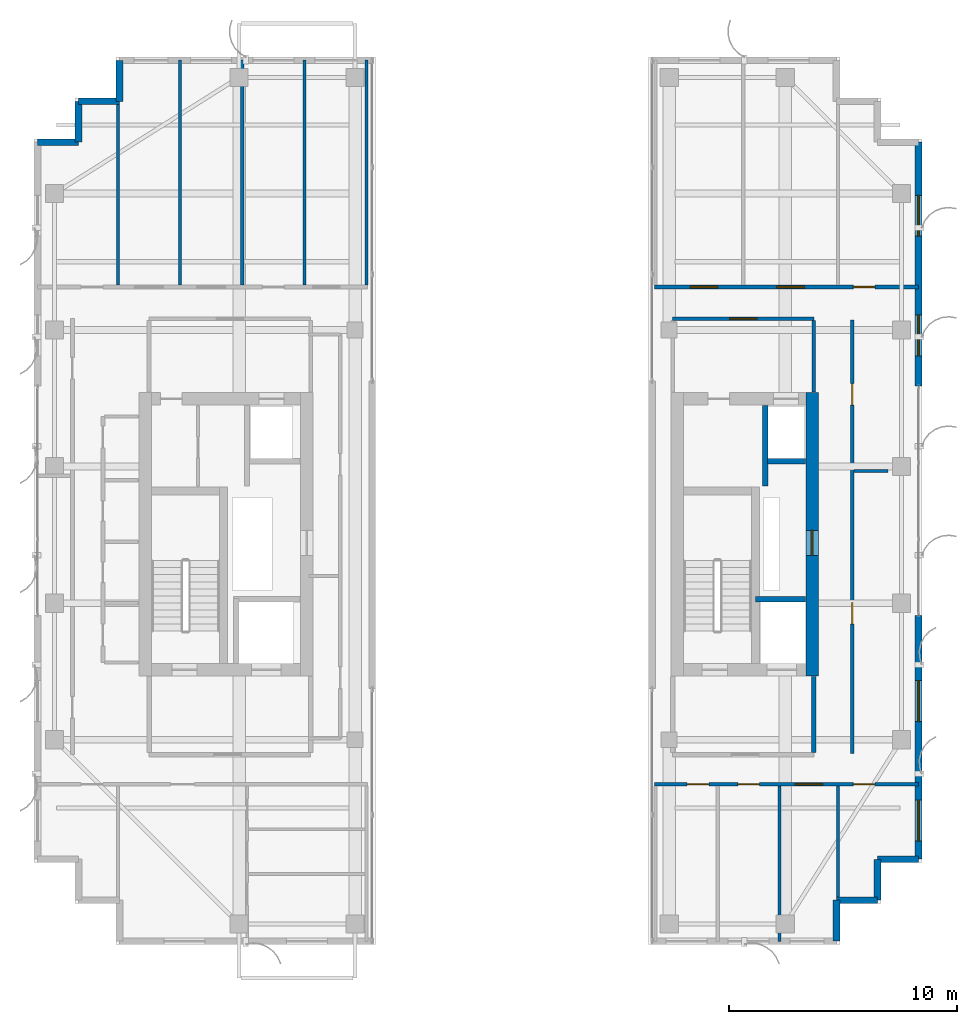
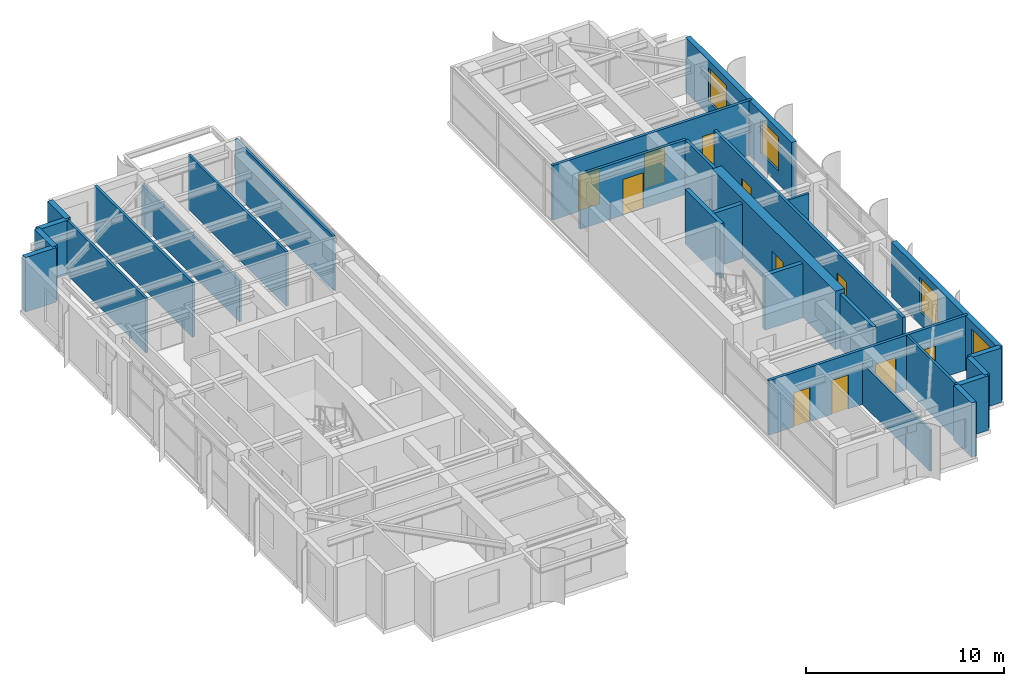
# One storey, part 19 of 22: 28 walls, 11 doors, 4 windows, 15 openings.
"""IFC4 building model written with IfcOpenShell, lengths in metres."""

from ifc_helpers import new_model, si_unit, direction, frame, frame_2d, origin, place, context, subcontext, project, spatial, rectangle, extrude, source, transform, mapped, material, layer, layer_set, type_object, element, fill, save


model = new_model("IFC4")

# Units and contexts
model_context = context("Model", 3, precision=1e-05, world=origin(), true_north=direction((0.0, 1.0)))
body_context = subcontext(model_context, "Body", "Model", "MODEL_VIEW")
ifc_project = project(units=[si_unit("LENGTHUNIT", "METRE"), si_unit("AREAUNIT", "SQUARE_METRE"), si_unit("VOLUMEUNIT", "CUBIC_METRE"), si_unit("PLANEANGLEUNIT", "RADIAN"), si_unit("MASSUNIT", "GRAM", prefix="KILO")], contexts=[model_context])

# Site, building, storey
site_placement = place(None, origin())
site = spatial("IfcSite", under=ifc_project, at=site_placement, CompositionType="ELEMENT")
building_placement = place(site_placement, origin())
building = spatial("IfcBuilding", under=site, at=building_placement, Name="Khoralis Quay Care Tower", CompositionType="ELEMENT")
storey_placement = place(building_placement, frame((0.0, 0.0, 256.5)))
storey = spatial("IfcBuildingStorey", under=building, at=storey_placement, Name="L67", CompositionType="ELEMENT", Elevation=256.5)

# Wall
ifc_material_1 = material(Name="Gypsum plasterboard on acoustic metal stud")
ifc_layer_1 = layer(ifc_material_1, 0.199951171875)
ifc_layer_set_1 = layer_set([ifc_layer_1], Name="Gypsum plasterboard on acoustic metal stud")
wall_type_1 = type_object("IfcWallType", Name="WL-COMP-200", PredefinedType="PARTITIONING", material=ifc_layer_set_1)
wall_1_placement = place(storey_placement, frame((37.25, 11.445068359375, 0.0), z_axis=(0.0, 0.0, 1.0), x_axis=(0.0, 1.0, 0.0)))
element("IfcWall", 1, at=wall_1_placement, inside=storey, type_object=wall_type_1, Name="L67 East Firefighting Lobby East Wall", PredefinedType="PARTITIONING", context=body_context, shape_type="SweptSolid", body=[
    extrude(rectangle(XDim=3.3349609375, YDim=0.199951171875, at=frame_2d((1.66748046875, 0.0))), origin(), (0.0, 0.0, 1.0), 3.360107421875),
])

# Wall, opening, door
ifc_material_2 = material(Name="Concrete C65/80", Category="concrete")
ifc_layer_2 = layer(ifc_material_2, 0.550048828125)
ifc_layer_set_2 = layer_set([ifc_layer_2], Name="Concrete C65/80")
wall_type_2 = type_object("IfcWallType", Name="WL-CORE-550", PredefinedType="SHEAR", material=ifc_layer_set_2)
wall_2_placement = place(storey_placement, frame((37.175048828125, 14.800048828125, 0.0), z_axis=(0.0, 0.0, 1.0), x_axis=(0.0, 1.0, 0.0)))
wall_2 = element("IfcWall", 2, at=wall_2_placement, inside=storey, type_object=wall_type_2, Name="L67 ECORE East Shear Wall", PredefinedType="SHEAR", context=body_context, shape_type="SweptSolid", body=[
    extrude(rectangle(XDim=12.449951171875, YDim=0.550048828125, at=frame_2d((6.22509765625, 0.0))), origin(), (0.0, 0.0, 1.0), 3.60009765625),
])
opening_1_placement = place(wall_2_placement, frame((5.300048828125, 0.0, 0.0)))
opening_1 = element("IfcOpeningElement", 3, at=opening_1_placement, cuts=wall_2, Name="Opening SD1", PredefinedType="OPENING", context=body_context, shape_type="SweptSolid", body=[
    extrude(rectangle(XDim=1.10009765625, YDim=2.199951171875, at=frame_2d((0.550048828125, 1.10009765625))), frame((0.0, 0.28515625, 0.0), z_axis=(0.0, -1.0, 0.0), x_axis=(1.0, 0.0, 0.0)), (0.0, 0.0, 1.0), 0.570068359375),
])
ifc_material_3 = material(Name="Fire-rated painted steel", Category="steel")
door_type_1 = type_object("IfcDoorType", Name="DR-STAIR-1100X2200", OperationType="NOTDEFINED", PredefinedType="DOOR", material=ifc_material_3)
shared_shape_1 = source(origin(), body_context, "Body", "SweptSolid", [
    extrude(rectangle(XDim=1.10009765625, YDim=2.199951171875, at=frame_2d((0.550048828125, 1.10009765625))), frame((0.0, 0.02490234375, 0.0), z_axis=(0.0, -1.0, 0.0), x_axis=(1.0, 0.0, 0.0)), (0.0, 0.0, 1.0), 0.050048828125),
])
door_1_placement = place(opening_1_placement, frame((1.10009765625, 0.0, 0.0), z_axis=(0.0, 0.0, 1.0), x_axis=(-1.0, 0.0, 0.0)))
door_1 = element("IfcDoor", 4, at=door_1_placement, inside=storey, type_object=door_type_1, Name="L67 East MEP Riser Door", OperationType="SINGLE_SWING_RIGHT", OverallHeight=2.199951171875, OverallWidth=1.10009765625, PredefinedType="DOOR", context=body_context, shape_type="MappedRepresentation", body=[
    mapped(shared_shape_1, transform((0.0, 0.0, 0.0), scale=1.0)),
])
fill(opening_1, door_1)

ifc_layer_3 = layer(ifc_material_1, 0.1650390625)
ifc_layer_set_3 = layer_set([ifc_layer_3], Name="Gypsum plasterboard on acoustic metal stud")
wall_type_3 = type_object("IfcWallType", Name="WL-CORR-165", PredefinedType="PARTITIONING", material=ifc_layer_set_3)
wall_3_placement = place(storey_placement, frame((31.050048828125, 30.5, 0.0), z_axis=(0.0, 0.0, 1.0), x_axis=(1.0, 0.0, 0.0)))
wall_3 = element("IfcWall", 5, at=wall_3_placement, inside=storey, type_object=wall_type_3, Name="L67 East Lift Lobby North Wall", PredefinedType="PARTITIONING", context=body_context, shape_type="SweptSolid", body=[
    extrude(rectangle(XDim=6.199951171875, YDim=0.1650390625, at=frame_2d((3.10009765625, 0.0))), origin(), (0.0, 0.0, 1.0), 3.360107421875),
])
opening_2_placement = place(wall_3_placement, frame((2.5, 0.0, 0.0)))
opening_2 = element("IfcOpeningElement", 6, at=opening_2_placement, cuts=wall_3, Name="Opening FD1", PredefinedType="OPENING", context=body_context, shape_type="SweptSolid", body=[
    extrude(rectangle(XDim=1.199951171875, YDim=2.199951171875, at=frame_2d((0.60009765625, 1.10009765625))), frame((0.0, 0.092529296875, 0.0), z_axis=(0.0, -1.0, 0.0), x_axis=(1.0, 0.0, 0.0)), (0.0, 0.0, 1.0), 0.18505859375),
])
door_type_2 = type_object("IfcDoorType", Name="DR-FFL-1200X2200", OperationType="NOTDEFINED", PredefinedType="DOOR", material=ifc_material_3)
shared_shape_2 = source(origin(), body_context, "Body", "SweptSolid", [
    extrude(rectangle(XDim=1.199951171875, YDim=2.199951171875, at=frame_2d((0.60009765625, 1.10009765625))), frame((0.0, 0.02490234375, 0.0), z_axis=(0.0, -1.0, 0.0), x_axis=(1.0, 0.0, 0.0)), (0.0, 0.0, 1.0), 0.050048828125),
])
door_2_placement = place(opening_2_placement, origin())
door_2 = element("IfcDoor", 7, at=door_2_placement, inside=storey, type_object=door_type_2, Name="L67 East Lift Lobby Double Door", OperationType="DOUBLE_DOOR_SINGLE_SWING", OverallHeight=2.199951171875, OverallWidth=1.199951171875, PredefinedType="DOOR", context=body_context, shape_type="MappedRepresentation", body=[
    mapped(shared_shape_2, transform((0.0, 0.0, 0.0), scale=1.0)),
])
fill(opening_2, door_2)

# Wall
wall_4_placement = place(storey_placement, frame((37.25, 27.27001953125, 0.0), z_axis=(0.0, 0.0, 1.0), x_axis=(0.0, 1.0, 0.0)))
element("IfcWall", 8, at=wall_4_placement, inside=storey, type_object=wall_type_3, Name="L67 East Lift Lobby East Wall", PredefinedType="PARTITIONING", context=body_context, shape_type="SweptSolid", body=[
    extrude(rectangle(XDim=3.152587890625, YDim=0.1650390625, at=frame_2d((1.576171875, 0.0))), origin(), (0.0, 0.0, 1.0), 3.360107421875),
])

# Wall, openings, doors
wall_5_placement = place(storey_placement, frame((30.25, 10.0400390625, 0.0), z_axis=(0.0, 0.0, 1.0), x_axis=(1.0, 0.0, 0.0)))
wall_5 = element("IfcWall", 9, at=wall_5_placement, inside=storey, type_object=wall_type_3, Name="L67 East Wing South Corridor Wall", PredefinedType="PARTITIONING", context=body_context, shape_type="SweptSolid", body=[
    extrude(rectangle(XDim=11.60498046875, YDim=0.1650390625, at=frame_2d((5.802490234375, 0.0))), origin(), (0.0, 0.0, 1.0), 3.360107421875),
])
opening_3_placement = place(wall_5_placement, frame((1.43994140625, 0.0, 0.0)))
opening_3 = element("IfcOpeningElement", 10, at=opening_3_placement, cuts=wall_5, Name="Opening ID1", PredefinedType="OPENING", context=body_context, shape_type="SweptSolid", body=[
    extrude(rectangle(XDim=0.949951171875, YDim=2.10009765625, at=frame_2d((0.47509765625, 1.050048828125))), frame((0.0, 0.092529296875, 0.0), z_axis=(0.0, -1.0, 0.0), x_axis=(1.0, 0.0, 0.0)), (0.0, 0.0, 1.0), 0.18505859375),
])
opening_4_placement = place(wall_5_placement, frame((3.6650390625, 0.0, 0.0)))
opening_4 = element("IfcOpeningElement", 11, at=opening_4_placement, cuts=wall_5, Name="Opening ID1", PredefinedType="OPENING", context=body_context, shape_type="SweptSolid", body=[
    extrude(rectangle(XDim=0.949951171875, YDim=2.10009765625, at=frame_2d((0.47509765625, 1.050048828125))), frame((0.0, 0.092529296875, 0.0), z_axis=(0.0, -1.0, 0.0), x_axis=(1.0, 0.0, 0.0)), (0.0, 0.0, 1.0), 0.18505859375),
])
opening_5_placement = place(wall_5_placement, frame((6.18505859375, 0.0, 0.0)))
opening_5 = element("IfcOpeningElement", 12, at=opening_5_placement, cuts=wall_5, Name="Opening FD1", PredefinedType="OPENING", context=body_context, shape_type="SweptSolid", body=[
    extrude(rectangle(XDim=1.199951171875, YDim=2.199951171875, at=frame_2d((0.60009765625, 1.10009765625))), frame((0.0, 0.092529296875, 0.0), z_axis=(0.0, -1.0, 0.0), x_axis=(1.0, 0.0, 0.0)), (0.0, 0.0, 1.0), 0.18505859375),
])
opening_6_placement = place(wall_5_placement, frame((8.735107421875, 0.0, 0.0)))
opening_6 = element("IfcOpeningElement", 13, at=opening_6_placement, cuts=wall_5, Name="Opening ID1", PredefinedType="OPENING", context=body_context, shape_type="SweptSolid", body=[
    extrude(rectangle(XDim=0.949951171875, YDim=2.10009765625, at=frame_2d((0.47509765625, 1.050048828125))), frame((0.0, 0.092529296875, 0.0), z_axis=(0.0, -1.0, 0.0), x_axis=(1.0, 0.0, 0.0)), (0.0, 0.0, 1.0), 0.18505859375),
])
door_3_placement = place(opening_5_placement, frame((1.199951171875, 0.0, 0.0), z_axis=(0.0, 0.0, 1.0), x_axis=(-1.0, 0.0, 0.0)))
door_3 = element("IfcDoor", 14, at=door_3_placement, inside=storey, type_object=door_type_2, Name="L67 Senior Wellness Pharmacy Shop Door", OperationType="DOUBLE_DOOR_SINGLE_SWING", OverallHeight=2.199951171875, OverallWidth=1.199951171875, PredefinedType="DOOR", context=body_context, shape_type="MappedRepresentation", body=[
    mapped(shared_shape_2, transform((0.0, 0.0, 0.0), scale=1.0)),
])
fill(opening_5, door_3)
ifc_material_4 = material(Name="Acoustic hardwood timber", Category="wood")
door_type_3 = type_object("IfcDoorType", Name="DR-ROOM-950X2100", OperationType="NOTDEFINED", PredefinedType="DOOR", material=ifc_material_4)
shared_shape_3 = source(origin(), body_context, "Body", "SweptSolid", [
    extrude(rectangle(XDim=0.949951171875, YDim=2.10009765625, at=frame_2d((0.47509765625, 1.050048828125))), frame((0.0, 0.02490234375, 0.0), z_axis=(0.0, -1.0, 0.0), x_axis=(1.0, 0.0, 0.0)), (0.0, 0.0, 1.0), 0.050048828125),
])
door_4_placement = place(opening_3_placement, frame((0.949951171875, 0.0, 0.0), z_axis=(0.0, 0.0, 1.0), x_axis=(-1.0, 0.0, 0.0)))
door_4 = element("IfcDoor", 15, at=door_4_placement, inside=storey, type_object=door_type_3, Name="L67 Care Coordination Office Door", OperationType="SINGLE_SWING_LEFT", OverallHeight=2.10009765625, OverallWidth=0.949951171875, PredefinedType="DOOR", context=body_context, shape_type="MappedRepresentation", body=[
    mapped(shared_shape_3, transform((0.0, 0.0, 0.0), scale=1.0)),
])
fill(opening_3, door_4)
door_5_placement = place(opening_4_placement, frame((0.949951171875, 0.0, 0.0), z_axis=(0.0, 0.0, 1.0), x_axis=(-1.0, 0.0, 0.0)))
door_5 = element("IfcDoor", 16, at=door_5_placement, inside=storey, type_object=door_type_3, Name="L67 Family Case Conference Room Door", OperationType="SINGLE_SWING_RIGHT", OverallHeight=2.10009765625, OverallWidth=0.949951171875, PredefinedType="DOOR", context=body_context, shape_type="MappedRepresentation", body=[
    mapped(shared_shape_3, transform((0.0, 0.0, 0.0), scale=1.0)),
])
fill(opening_4, door_5)
door_6_placement = place(opening_6_placement, frame((0.949951171875, 0.0, 0.0), z_axis=(0.0, 0.0, 1.0), x_axis=(-1.0, 0.0, 0.0)))
door_6 = element("IfcDoor", 17, at=door_6_placement, inside=storey, type_object=door_type_3, Name="L67 SE Corner Door", OperationType="SINGLE_SWING_RIGHT", OverallHeight=2.10009765625, OverallWidth=0.949951171875, PredefinedType="DOOR", context=body_context, shape_type="MappedRepresentation", body=[
    mapped(shared_shape_3, transform((0.0, 0.0, 0.0), scale=1.0)),
])
fill(opening_6, door_6)

wall_6_placement = place(storey_placement, frame((30.25, 31.889892578125, 0.0), z_axis=(0.0, 0.0, 1.0), x_axis=(1.0, 0.0, 0.0)))
wall_6 = element("IfcWall", 18, at=wall_6_placement, inside=storey, type_object=wall_type_3, Name="L67 East Wing North Corridor Wall", PredefinedType="PARTITIONING", context=body_context, shape_type="SweptSolid", body=[
    extrude(rectangle(XDim=11.60498046875, YDim=0.1650390625, at=frame_2d((5.802490234375, 0.0))), origin(), (0.0, 0.0, 1.0), 3.360107421875),
])
opening_7_placement = place(wall_6_placement, frame((1.574951171875, 0.0, 0.0)))
opening_7 = element("IfcOpeningElement", 19, at=opening_7_placement, cuts=wall_6, Name="Opening FD1", PredefinedType="OPENING", context=body_context, shape_type="SweptSolid", body=[
    extrude(rectangle(XDim=1.199951171875, YDim=2.199951171875, at=frame_2d((0.60009765625, 1.10009765625))), frame((0.0, 0.092529296875, 0.0), z_axis=(0.0, -1.0, 0.0), x_axis=(1.0, 0.0, 0.0)), (0.0, 0.0, 1.0), 0.18505859375),
])
opening_8_placement = place(wall_6_placement, frame((5.385009765625, 0.0, 0.0)))
opening_8 = element("IfcOpeningElement", 20, at=opening_8_placement, cuts=wall_6, Name="Opening FD1", PredefinedType="OPENING", context=body_context, shape_type="SweptSolid", body=[
    extrude(rectangle(XDim=1.199951171875, YDim=2.199951171875, at=frame_2d((0.60009765625, 1.10009765625))), frame((0.0, 0.092529296875, 0.0), z_axis=(0.0, -1.0, 0.0), x_axis=(1.0, 0.0, 0.0)), (0.0, 0.0, 1.0), 0.18505859375),
])
opening_9_placement = place(wall_6_placement, frame((8.735107421875, 0.0, 0.0)))
opening_9 = element("IfcOpeningElement", 21, at=opening_9_placement, cuts=wall_6, Name="Opening ID1", PredefinedType="OPENING", context=body_context, shape_type="SweptSolid", body=[
    extrude(rectangle(XDim=0.949951171875, YDim=2.10009765625, at=frame_2d((0.47509765625, 1.050048828125))), frame((0.0, 0.092529296875, 0.0), z_axis=(0.0, -1.0, 0.0), x_axis=(1.0, 0.0, 0.0)), (0.0, 0.0, 1.0), 0.18505859375),
])
door_7_placement = place(opening_7_placement, origin())
door_7 = element("IfcDoor", 22, at=door_7_placement, inside=storey, type_object=door_type_2, Name="L67 Resident Communal Day Lounge Door", OperationType="DOUBLE_DOOR_SINGLE_SWING", OverallHeight=2.199951171875, OverallWidth=1.199951171875, PredefinedType="DOOR", context=body_context, shape_type="MappedRepresentation", body=[
    mapped(shared_shape_2, transform((0.0, 0.0, 0.0), scale=1.0)),
])
fill(opening_7, door_7)
door_8_placement = place(opening_8_placement, origin())
door_8 = element("IfcDoor", 23, at=door_8_placement, inside=storey, type_object=door_type_2, Name="L67 Assisted Communal Dining Room Door", OperationType="DOUBLE_DOOR_SINGLE_SWING", OverallHeight=2.199951171875, OverallWidth=1.199951171875, PredefinedType="DOOR", context=body_context, shape_type="MappedRepresentation", body=[
    mapped(shared_shape_2, transform((0.0, 0.0, 0.0), scale=1.0)),
])
fill(opening_8, door_8)
door_9_placement = place(opening_9_placement, origin())
door_9 = element("IfcDoor", 24, at=door_9_placement, inside=storey, type_object=door_type_3, Name="L67 NE Corner Door", OperationType="SINGLE_SWING_LEFT", OverallHeight=2.10009765625, OverallWidth=0.949951171875, PredefinedType="DOOR", context=body_context, shape_type="MappedRepresentation", body=[
    mapped(shared_shape_3, transform((0.0, 0.0, 0.0), scale=1.0)),
])
fill(opening_9, door_9)

wall_7_placement = place(storey_placement, frame((38.93994140625, 11.39990234375, 0.0), z_axis=(0.0, 0.0, 1.0), x_axis=(0.0, 1.0, 0.0)))
wall_7 = element("IfcWall", 25, at=wall_7_placement, inside=storey, type_object=wall_type_3, Name="L67 East High-Rise Suite Wall", PredefinedType="PARTITIONING", context=body_context, shape_type="SweptSolid", body=[
    extrude(rectangle(XDim=19.050048828125, YDim=0.1650390625, at=frame_2d((9.52490234375, 0.0))), origin(), (0.0, 0.0, 1.0), 3.360107421875),
])
opening_10_placement = place(wall_7_placement, frame((5.675048828125, 0.0, 0.0)))
opening_10 = element("IfcOpeningElement", 26, at=opening_10_placement, cuts=wall_7, Name="Opening ID1", PredefinedType="OPENING", context=body_context, shape_type="SweptSolid", body=[
    extrude(rectangle(XDim=0.949951171875, YDim=2.10009765625, at=frame_2d((0.47509765625, 1.050048828125))), frame((0.0, 0.092529296875, 0.0), z_axis=(0.0, -1.0, 0.0), x_axis=(1.0, 0.0, 0.0)), (0.0, 0.0, 1.0), 0.18505859375),
])
opening_11_placement = place(wall_7_placement, frame((15.300048828125, 0.0, 0.0)))
opening_11 = element("IfcOpeningElement", 27, at=opening_11_placement, cuts=wall_7, Name="Opening ID1", PredefinedType="OPENING", context=body_context, shape_type="SweptSolid", body=[
    extrude(rectangle(XDim=0.949951171875, YDim=2.10009765625, at=frame_2d((0.47509765625, 1.050048828125))), frame((0.0, 0.092529296875, 0.0), z_axis=(0.0, -1.0, 0.0), x_axis=(1.0, 0.0, 0.0)), (0.0, 0.0, 1.0), 0.18505859375),
])
door_10_placement = place(opening_10_placement, origin())
door_10 = element("IfcDoor", 28, at=door_10_placement, inside=storey, type_object=door_type_3, Name="L67 East High-Rise Sun Lounge Door", OperationType="SINGLE_SWING_LEFT", OverallHeight=2.10009765625, OverallWidth=0.949951171875, PredefinedType="DOOR", context=body_context, shape_type="MappedRepresentation", body=[
    mapped(shared_shape_3, transform((0.0, 0.0, 0.0), scale=1.0)),
])
fill(opening_10, door_10)
door_11_placement = place(opening_11_placement, origin())
door_11 = element("IfcDoor", 29, at=door_11_placement, inside=storey, type_object=door_type_3, Name="L67 East High-Rise Care Office Door", OperationType="SINGLE_SWING_RIGHT", OverallHeight=2.10009765625, OverallWidth=0.949951171875, PredefinedType="DOOR", context=body_context, shape_type="MappedRepresentation", body=[
    mapped(shared_shape_3, transform((0.0, 0.0, 0.0), scale=1.0)),
])
fill(opening_11, door_11)

# Walls
ifc_material_5 = material(Name="Precast concrete C45/55", Category="concrete")
ifc_layer_4 = layer(ifc_material_5, 0.300048828125)
ifc_layer_set_4 = layer_set([ifc_layer_4], Name="Precast concrete C45/55")
wall_type_4 = type_object("IfcWallType", Name="WL-EXT-REF-300", PredefinedType="SOLIDWALL", material=ifc_layer_set_4)
for number, where, z_axis, x_axis, name in (
    (30, (6.75, 41.85009765625, 0.0), (0.0, 0.0, 1.0), (0.0, -1.0, 0.0), "L67 External Facade Wall WL-EXT-L67-P1-C3"),
    (31, (6.75, 40.050048828125, 0.0), (0.0, 0.0, 1.0), (-1.0, 0.0, 0.0), "L67 External Facade Wall WL-EXT-L67-P1-C4"),
    (32, (4.949951171875, 40.050048828125, 0.0), (0.0, 0.0, 1.0), (0.0, -1.0, 0.0), "L67 External Facade Wall WL-EXT-L67-P1-C5"),
    (33, (4.949951171875, 38.25, 0.0), (0.0, 0.0, 1.0), (-1.0, 0.0, 0.0), "L67 External Facade Wall WL-EXT-L67-P1-C6"),
    (34, (38.25, 3.14990234375, 0.0), (0.0, 0.0, 1.0), (0.0, 1.0, 0.0), "L67 External Facade Wall WL-EXT-L67-P2-C1"),
    (35, (38.25, 4.949951171875, 0.0), (0.0, 0.0, 1.0), (1.0, 0.0, 0.0), "L67 External Facade Wall WL-EXT-L67-P2-C2"),
    (36, (40.050048828125, 4.949951171875, 0.0), (0.0, 0.0, 1.0), (0.0, 1.0, 0.0), "L67 External Facade Wall WL-EXT-L67-P2-C3"),
    (37, (40.050048828125, 6.75, 0.0), (0.0, 0.0, 1.0), (1.0, 0.0, 0.0), "L67 External Facade Wall WL-EXT-L67-P2-C4"),
):
    element("IfcWall", number, at=place(storey_placement, frame(where, z_axis=z_axis, x_axis=x_axis)), inside=storey, type_object=wall_type_4, Name=name, PredefinedType="SOLIDWALL", context=body_context, shape_type="SweptSolid", body=[
        extrude(rectangle(XDim=1.800048828125, YDim=0.300048828125, at=frame_2d((0.89990234375, 0.0))), origin(), (0.0, 0.0, 1.0), 3.360107421875),
    ])

# Wall, openings, windows
wall_8_placement = place(storey_placement, frame((41.85009765625, 6.75, 0.0), z_axis=(0.0, 0.0, 1.0), x_axis=(0.0, 1.0, 0.0)))
wall_8 = element("IfcWall", 38, at=wall_8_placement, inside=storey, type_object=wall_type_4, Name="L67 External Facade Wall WL-EXT-L67-P2-E5A", PredefinedType="SOLIDWALL", context=body_context, shape_type="SweptSolid", body=[
    extrude(rectangle(XDim=10.7099609375, YDim=0.300048828125, at=frame_2d((5.35498046875, 0.0))), origin(), (0.0, 0.0, 1.0), 3.360107421875),
])
opening_12_placement = place(wall_8_placement, frame((0.794921875, 0.0, 0.800048828125)))
opening_12 = element("IfcOpeningElement", 39, at=opening_12_placement, cuts=wall_8, Name="Opening W2", PredefinedType="OPENING", context=body_context, shape_type="SweptSolid", body=[
    extrude(rectangle(XDim=1.800048828125, YDim=2.10009765625, at=frame_2d((0.89990234375, 1.050048828125))), frame((0.0, 0.16015625, 0.0), z_axis=(0.0, -1.0, 0.0), x_axis=(1.0, 0.0, 0.0)), (0.0, 0.0, 1.0), 0.320068359375),
])
opening_13_placement = place(wall_8_placement, frame((6.050048828125, 0.0, 0.800048828125)))
opening_13 = element("IfcOpeningElement", 40, at=opening_13_placement, cuts=wall_8, Name="Opening W2", PredefinedType="OPENING", context=body_context, shape_type="SweptSolid", body=[
    extrude(rectangle(XDim=1.800048828125, YDim=2.10009765625, at=frame_2d((0.89990234375, 1.050048828125))), frame((0.0, 0.16015625, 0.0), z_axis=(0.0, -1.0, 0.0), x_axis=(1.0, 0.0, 0.0)), (0.0, 0.0, 1.0), 0.320068359375),
])
ifc_material_6 = material(Name="Low-E solar-control double glazing", Category="glass")
window_type = type_object("IfcWindowType", Name="WN-POD-1800X2100", PartitioningType="SINGLE_PANEL", PredefinedType="WINDOW", material=ifc_material_6)
shared_shape_4 = source(origin(), body_context, "Body", "SweptSolid", [
    extrude(rectangle(XDim=1.800048828125, YDim=2.10009765625, at=frame_2d((0.89990234375, 1.050048828125))), frame((0.0, 0.030029296875, 0.0), z_axis=(0.0, -1.0, 0.0), x_axis=(1.0, 0.0, 0.0)), (0.0, 0.0, 1.0), 0.06005859375),
])
window_1_placement = place(opening_12_placement, origin())
window_1 = element("IfcWindow", 41, at=window_1_placement, inside=storey, type_object=window_type, Name="WN-L67-P2-E5A Facade Window 01", OverallHeight=2.10009765625, OverallWidth=1.800048828125, PartitioningType="SINGLE_PANEL", PredefinedType="WINDOW", context=body_context, shape_type="MappedRepresentation", body=[
    mapped(shared_shape_4, transform((0.0, 0.0, 0.0), scale=1.0)),
])
fill(opening_12, window_1)
window_2_placement = place(opening_13_placement, origin())
window_2 = element("IfcWindow", 42, at=window_2_placement, inside=storey, type_object=window_type, Name="WN-L67-P2-E5A Facade Window 02", OverallHeight=2.10009765625, OverallWidth=1.800048828125, PartitioningType="SINGLE_PANEL", PredefinedType="WINDOW", context=body_context, shape_type="MappedRepresentation", body=[
    mapped(shared_shape_4, transform((0.0, 0.0, 0.0), scale=1.0)),
])
fill(opening_13, window_2)

wall_9_placement = place(storey_placement, frame((41.85009765625, 27.5400390625, 0.0), z_axis=(0.0, 0.0, 1.0), x_axis=(0.0, 1.0, 0.0)))
wall_9 = element("IfcWall", 43, at=wall_9_placement, inside=storey, type_object=wall_type_4, Name="L67 External Facade Wall WL-EXT-L67-P2-E5B", PredefinedType="SOLIDWALL", context=body_context, shape_type="SweptSolid", body=[
    extrude(rectangle(XDim=10.7099609375, YDim=0.300048828125, at=frame_2d((5.35498046875, 0.0))), origin(), (0.0, 0.0, 1.0), 3.360107421875),
])
opening_14_placement = place(wall_9_placement, frame((1.324951171875, 0.0, 0.800048828125)))
opening_14 = element("IfcOpeningElement", 44, at=opening_14_placement, cuts=wall_9, Name="Opening W2", PredefinedType="OPENING", context=body_context, shape_type="SweptSolid", body=[
    extrude(rectangle(XDim=1.800048828125, YDim=2.10009765625, at=frame_2d((0.89990234375, 1.050048828125))), frame((0.0, 0.16015625, 0.0), z_axis=(0.0, -1.0, 0.0), x_axis=(1.0, 0.0, 0.0)), (0.0, 0.0, 1.0), 0.320068359375),
])
opening_15_placement = place(wall_9_placement, frame((6.580078125, 0.0, 0.800048828125)))
opening_15 = element("IfcOpeningElement", 45, at=opening_15_placement, cuts=wall_9, Name="Opening W2", PredefinedType="OPENING", context=body_context, shape_type="SweptSolid", body=[
    extrude(rectangle(XDim=1.800048828125, YDim=2.10009765625, at=frame_2d((0.89990234375, 1.050048828125))), frame((0.0, 0.16015625, 0.0), z_axis=(0.0, -1.0, 0.0), x_axis=(1.0, 0.0, 0.0)), (0.0, 0.0, 1.0), 0.320068359375),
])
window_3_placement = place(opening_14_placement, origin())
window_3 = element("IfcWindow", 46, at=window_3_placement, inside=storey, type_object=window_type, Name="WN-L67-P2-E5B Facade Window 01", OverallHeight=2.10009765625, OverallWidth=1.800048828125, PartitioningType="SINGLE_PANEL", PredefinedType="WINDOW", context=body_context, shape_type="MappedRepresentation", body=[
    mapped(shared_shape_4, transform((0.0, 0.0, 0.0), scale=1.0)),
])
fill(opening_14, window_3)
window_4_placement = place(opening_15_placement, origin())
window_4 = element("IfcWindow", 47, at=window_4_placement, inside=storey, type_object=window_type, Name="WN-L67-P2-E5B Facade Window 02", OverallHeight=2.10009765625, OverallWidth=1.800048828125, PartitioningType="SINGLE_PANEL", PredefinedType="WINDOW", context=body_context, shape_type="MappedRepresentation", body=[
    mapped(shared_shape_4, transform((0.0, 0.0, 0.0), scale=1.0)),
])
fill(opening_15, window_4)

# Walls
ifc_layer_5 = layer(ifc_material_1, 0.239990234375)
ifc_layer_set_5 = layer_set([ifc_layer_5], Name="Gypsum plasterboard on acoustic metal stud")
wall_type_5 = type_object("IfcWallType", Name="WL-SHAFT-240", PredefinedType="PARTITIONING", material=ifc_layer_set_5)
wall_10_placement = place(storey_placement, frame((34.679931640625, 18.169921875, 0.0), z_axis=(0.0, 0.0, 1.0), x_axis=(1.0, 0.0, 0.0)))
element("IfcWall", 48, at=wall_10_placement, inside=storey, type_object=wall_type_5, Name="L67 FFL-2 Shaft Wall North", PredefinedType="PARTITIONING", context=body_context, shape_type="SweptSolid", body=[
    extrude(rectangle(XDim=2.199951171875, YDim=0.239990234375, at=frame_2d((1.10009765625, 0.0))), origin(), (0.0, 0.0, 1.0), 3.360107421875),
])
wall_11_placement = place(storey_placement, frame((35.110107421875, 23.139892578125, 0.0), z_axis=(0.0, 0.0, 1.0), x_axis=(0.0, 1.0, 0.0)))
element("IfcWall", 49, at=wall_11_placement, inside=storey, type_object=wall_type_5, Name="L67 High-Rise Reclaimed Bay Wall East", PredefinedType="PARTITIONING", context=body_context, shape_type="SweptSolid", body=[
    extrude(rectangle(XDim=3.5400390625, YDim=0.239990234375, at=frame_2d((1.77001953125, 0.0))), origin(), (0.0, 0.0, 1.0), 3.360107421875),
])
wall_12_placement = place(storey_placement, frame((35.22509765625, 24.22998046875, 0.0), z_axis=(0.0, 0.0, 1.0), x_axis=(1.0, 0.0, 0.0)))
element("IfcWall", 50, at=wall_12_placement, inside=storey, type_object=wall_type_5, Name="L67 High-Rise Shaft South Wall East", PredefinedType="PARTITIONING", context=body_context, shape_type="SweptSolid", body=[
    extrude(rectangle(XDim=1.65478515625, YDim=0.239990234375, at=frame_2d((0.827392578125, 0.0))), origin(), (0.0, 0.0, 1.0), 3.360107421875),
])
ifc_layer_6 = layer(ifc_material_1, 0.139892578125)
ifc_layer_set_6 = layer_set([ifc_layer_6], Name="Gypsum plasterboard on acoustic metal stud")
wall_type_6 = type_object("IfcWallType", Name="WL-UNIT-140", PredefinedType="PARTITIONING", material=ifc_layer_set_6)
wall_13_placement = place(storey_placement, frame((39.017578125, 23.800048828125, 0.0), z_axis=(0.0, 0.0, 1.0), x_axis=(1.0, 0.0, 0.0)))
element("IfcWall", 51, at=wall_13_placement, inside=storey, type_object=wall_type_6, Name="L67 East High-Rise Split", PredefinedType="PARTITIONING", context=body_context, shape_type="SweptSolid", body=[
    extrude(rectangle(XDim=1.50244140625, YDim=0.139892578125, at=frame_2d((0.751220703125, 0.0))), origin(), (0.0, 0.0, 1.0), 2.9599609375),
])
wall_14_placement = place(storey_placement, frame((6.679931640625, 31.967529296875, 0.0), z_axis=(0.0, 0.0, 1.0), x_axis=(0.0, 1.0, 0.0)))
element("IfcWall", 52, at=wall_14_placement, inside=storey, type_object=wall_type_6, Name="L67 WN Demising Wall 0", PredefinedType="PARTITIONING", context=body_context, shape_type="SweptSolid", body=[
    extrude(rectangle(XDim=8.08740234375, YDim=0.139892578125, at=frame_2d((4.043701171875, 0.0))), origin(), (0.0, 0.0, 1.0), 3.360107421875),
])
wall_15_placement = place(storey_placement, frame((9.409912109375, 31.967529296875, 0.0), z_axis=(0.0, 0.0, 1.0), x_axis=(0.0, 1.0, 0.0)))
element("IfcWall", 53, at=wall_15_placement, inside=storey, type_object=wall_type_6, Name="L67 WN Demising Wall 1", PredefinedType="PARTITIONING", context=body_context, shape_type="SweptSolid", body=[
    extrude(rectangle(XDim=9.887451171875, YDim=0.139892578125, at=frame_2d((4.94384765625, 0.0))), origin(), (0.0, 0.0, 1.0), 3.360107421875),
])
wall_16_placement = place(storey_placement, frame((12.139892578125, 31.967529296875, 0.0), z_axis=(0.0, 0.0, 1.0), x_axis=(0.0, 1.0, 0.0)))
element("IfcWall", 54, at=wall_16_placement, inside=storey, type_object=wall_type_6, Name="L67 WN Demising Wall 2", PredefinedType="PARTITIONING", context=body_context, shape_type="SweptSolid", body=[
    extrude(rectangle(XDim=9.887451171875, YDim=0.139892578125, at=frame_2d((4.94384765625, 0.0))), origin(), (0.0, 0.0, 1.0), 2.510009765625),
])
for number, where, z_axis, x_axis, name in (
    (55, (14.8701171875, 31.967529296875, 0.0), (0.0, 0.0, 1.0), (0.0, 1.0, 0.0), "L67 WN Demising Wall 3"),
    (56, (17.60009765625, 31.967529296875, 0.0), (0.0, 0.0, 1.0), (0.0, 1.0, 0.0), "L67 WN Demising Wall 4"),
):
    element("IfcWall", number, at=place(storey_placement, frame(where, z_axis=z_axis, x_axis=x_axis)), inside=storey, type_object=wall_type_6, Name=name, PredefinedType="PARTITIONING", context=body_context, shape_type="SweptSolid", body=[
        extrude(rectangle(XDim=9.887451171875, YDim=0.139892578125, at=frame_2d((4.94384765625, 0.0))), origin(), (0.0, 0.0, 1.0), 3.360107421875),
    ])
wall_17_placement = place(storey_placement, frame((35.75, 3.14501953125, 0.0), z_axis=(0.0, 0.0, 1.0), x_axis=(0.0, 1.0, 0.0)))
element("IfcWall", 57, at=wall_17_placement, inside=storey, type_object=wall_type_6, Name="L67 ES Demising Wall 2", PredefinedType="PARTITIONING", context=body_context, shape_type="SweptSolid", body=[
    extrude(rectangle(XDim=6.8173828125, YDim=0.139892578125, at=frame_2d((3.40869140625, 0.0))), origin(), (0.0, 0.0, 1.0), 2.510009765625),
])
wall_18_placement = place(storey_placement, frame((38.320068359375, 4.945068359375, 0.0), z_axis=(0.0, 0.0, 1.0), x_axis=(0.0, 1.0, 0.0)))
element("IfcWall", 58, at=wall_18_placement, inside=storey, type_object=wall_type_6, Name="L67 ES Demising Wall 3", PredefinedType="PARTITIONING", context=body_context, shape_type="SweptSolid", body=[
    extrude(rectangle(XDim=5.017333984375, YDim=0.139892578125, at=frame_2d((2.5087890625, 0.0))), origin(), (0.0, 0.0, 1.0), 3.360107421875),
])

save(model, "model.ifc")
